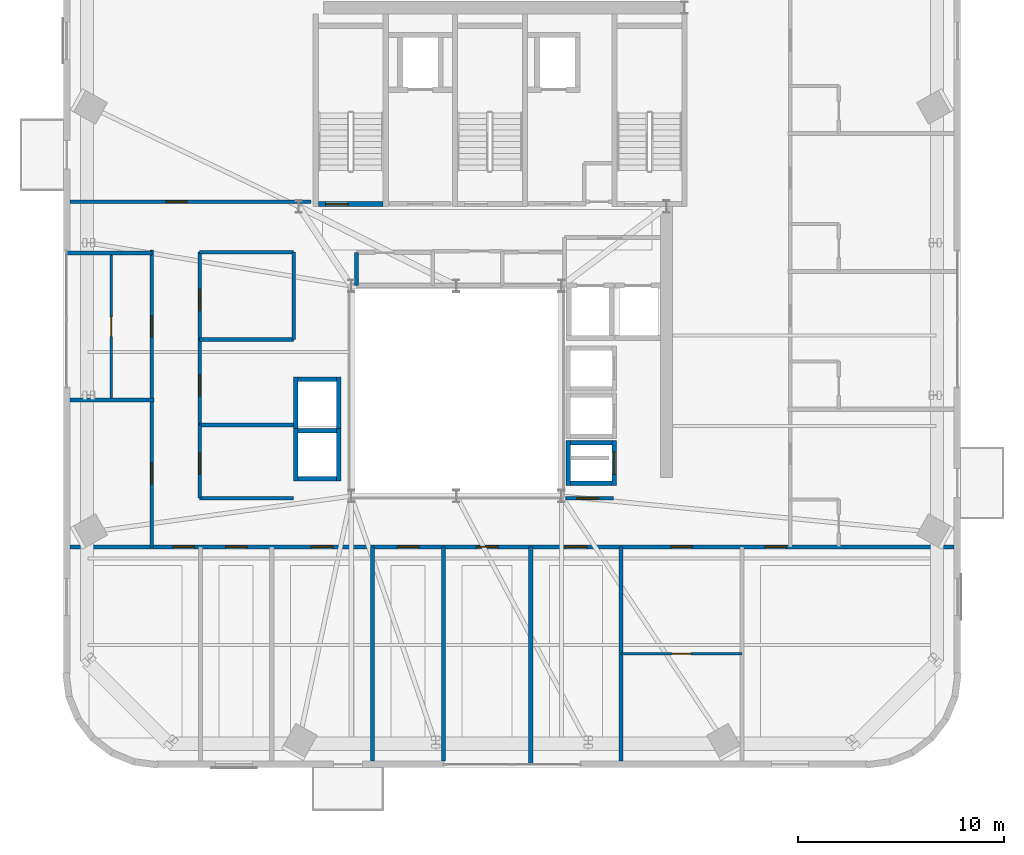
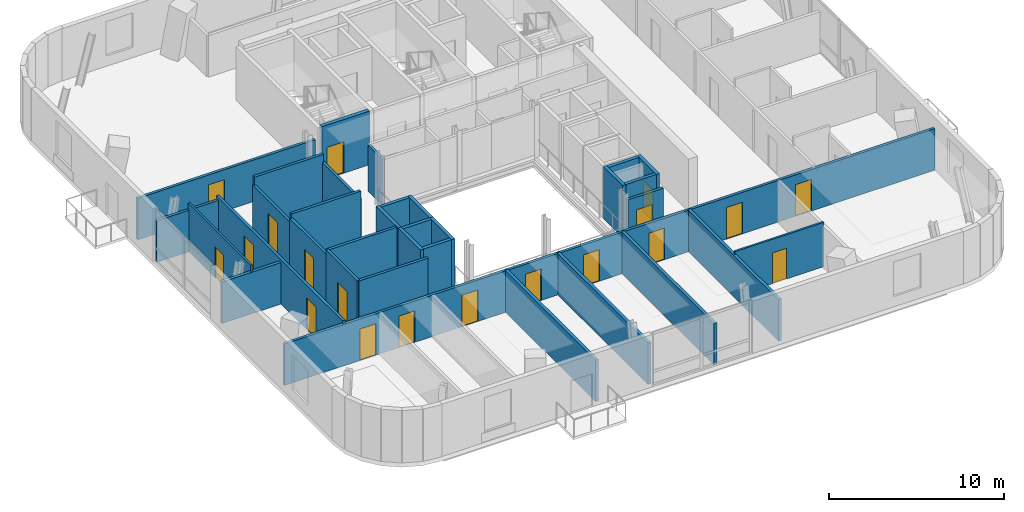
# One storey, part 7 of 14: 33 walls, 19 doors, 19 openings.
"""IFC4 building model written with IfcOpenShell, lengths in metres."""

from ifc_helpers import new_model, si_unit, direction, frame, frame_2d, origin, place, context, subcontext, project, spatial, rectangle, extrude, source, transform, mapped, material, layer, layer_set, type_object, element, fill, save


model = new_model("IFC4")

# Units and contexts
model_context = context("Model", 3, precision=1e-05, world=origin(), true_north=direction((0.0, 1.0)))
body_context = subcontext(model_context, "Body", "Model", "MODEL_VIEW")
ifc_project = project(units=[si_unit("LENGTHUNIT", "METRE"), si_unit("AREAUNIT", "SQUARE_METRE"), si_unit("VOLUMEUNIT", "CUBIC_METRE"), si_unit("PLANEANGLEUNIT", "RADIAN"), si_unit("MASSUNIT", "GRAM", prefix="KILO")], contexts=[model_context])

# Site, building, storey
site_placement = place(None, origin())
site = spatial("IfcSite", under=ifc_project, at=site_placement, CompositionType="ELEMENT")
building_placement = place(site_placement, origin())
building = spatial("IfcBuilding", under=site, at=building_placement, Name="Vardaveli Station Tower", CompositionType="ELEMENT")
storey_placement = place(building_placement, frame((0.0, 0.0, 266.39990234375)))
storey = spatial("IfcBuildingStorey", under=building, at=storey_placement, Name="L68", CompositionType="ELEMENT", Elevation=266.39990234375)

# Wall, opening, door
ifc_material_1 = material(Name="Concrete C40/50", Category="concrete")
ifc_layer_1 = layer(ifc_material_1, 0.25, Name="Concrete C40/50")
ifc_layer_set_1 = layer_set([ifc_layer_1], Name="Concrete C40/50")
wall_type_1 = type_object("IfcWallType", Name="WAL-SHAFT-250", PredefinedType="SOLIDWALL", material=ifc_layer_set_1)
shared_shape_1 = source(origin(), body_context, "Body", "SweptSolid", [
    extrude(rectangle(XDim=3.14990234375, YDim=0.25, at=frame_2d((1.574951171875, 0.0))), origin(), (0.0, 0.0, 1.0), 3.75),
])
wall_1_placement = place(storey_placement, frame((29.60009765625, 30.77490234375, 0.0), z_axis=(0.0, 0.0, 1.0), x_axis=(1.0, 0.0, 0.0)))
wall_1 = element("IfcWall", 1, at=wall_1_placement, inside=storey, type_object=wall_type_1, Name="W-L68-ST-1S", PredefinedType="SOLIDWALL", context=body_context, shape_type="MappedRepresentation", body=[
    mapped(shared_shape_1, transform((0.0, 0.0, 0.0), scale=1.0)),
])
shared_shape_2 = source(origin(), body_context, "Body", "SweptSolid", [
    extrude(rectangle(XDim=1.10009765625, YDim=2.199951171875, at=frame_2d((0.550048828125, 1.10009765625))), frame((0.0, 0.135009765625, 0.0), z_axis=(0.0, -1.0, 0.0), x_axis=(1.0, 0.0, 0.0)), (0.0, 0.0, 1.0), 0.27001953125),
])
opening_1_placement = place(wall_1_placement, frame((0.35009765625, 0.0, 0.0)))
opening_1 = element("IfcOpeningElement", 2, at=opening_1_placement, cuts=wall_1, Name="Opening D-04", PredefinedType="OPENING", context=body_context, shape_type="MappedRepresentation", body=[
    mapped(shared_shape_2, transform((0.0, 0.0, 0.0), scale=1.0)),
])
ifc_material_2 = material(Name="Steel smokeproof fire doorset", Category="steel")
door_type_1 = type_object("IfcDoorType", Name="DR-ST-1100x2200", OperationType="NOTDEFINED", PredefinedType="DOOR", material=ifc_material_2)
shared_shape_3 = source(origin(), body_context, "Body", "SweptSolid", [
    extrude(rectangle(XDim=1.10009765625, YDim=2.199951171875, at=frame_2d((0.550048828125, 1.10009765625))), frame((0.0, 0.02490234375, 0.0), z_axis=(0.0, -1.0, 0.0), x_axis=(1.0, 0.0, 0.0)), (0.0, 0.0, 1.0), 0.050048828125),
])
door_1_placement = place(opening_1_placement, origin())
door_1 = element("IfcDoor", 3, at=door_1_placement, inside=storey, type_object=door_type_1, Name="DST-1-L68", OperationType="SINGLE_SWING_LEFT", OverallHeight=2.199951171875, OverallWidth=1.10009765625, PredefinedType="DOOR", context=body_context, shape_type="MappedRepresentation", body=[
    mapped(shared_shape_3, transform((0.0, 0.0, 0.0), scale=1.0)),
])
fill(opening_1, door_1)

# Walls
ifc_layer_2 = layer(ifc_material_1, 0.219970703125, Name="Concrete C40/50")
ifc_layer_set_2 = layer_set([ifc_layer_2], Name="Concrete C40/50")
wall_type_2 = type_object("IfcWallType", Name="WAL-FFLOBBY-220", PredefinedType="SOLIDWALL", material=ifc_layer_set_2)
shared_shape_4 = source(origin(), body_context, "Body", "SweptSolid", [
    extrude(rectangle(XDim=2.0, YDim=0.219970703125, at=frame_2d((1.0, 0.0))), origin(), (0.0, 0.0, 1.0), 3.650146484375),
])
for number, where, z_axis, x_axis, name in (
    (4, (41.85009765625, 17.215087890625, 0.0), (0.0, 0.0, 1.0), (1.0, 0.0, 0.0), "SHW-HL3-03-L68-S"),
    (5, (41.85009765625, 19.18505859375, 0.0), (0.0, 0.0, 1.0), (1.0, 0.0, 0.0), "SHW-HL3-03-L68-N"),
):
    element("IfcWall", number, at=place(storey_placement, frame(where, z_axis=z_axis, x_axis=x_axis)), inside=storey, type_object=wall_type_2, Name=name, PredefinedType="SOLIDWALL", context=body_context, shape_type="MappedRepresentation", body=[
        mapped(shared_shape_4, transform((0.0, 0.0, 0.0), scale=1.0)),
    ])
shared_shape_5 = source(origin(), body_context, "Body", "SweptSolid", [
    extrude(rectangle(XDim=2.18994140625, YDim=0.219970703125, at=frame_2d((1.094970703125, 0.0))), origin(), (0.0, 0.0, 1.0), 3.650146484375),
])
wall_2_placement = place(storey_placement, frame((41.739990234375, 17.10498046875, 0.0), z_axis=(0.0, 0.0, 1.0), x_axis=(0.0, 1.0, 0.0)))
element("IfcWall", 6, at=wall_2_placement, inside=storey, type_object=wall_type_2, Name="SHW-HL3-03-L68-W", PredefinedType="SOLIDWALL", context=body_context, shape_type="MappedRepresentation", body=[
    mapped(shared_shape_5, transform((0.0, 0.0, 0.0), scale=1.0)),
])

# Wall, opening, door
wall_3_placement = place(storey_placement, frame((43.9599609375, 17.10498046875, 0.0), z_axis=(0.0, 0.0, 1.0), x_axis=(0.0, 1.0, 0.0)))
wall_3 = element("IfcWall", 7, at=wall_3_placement, inside=storey, type_object=wall_type_2, Name="SHW-HL3-03-L68-E", PredefinedType="SOLIDWALL", context=body_context, shape_type="MappedRepresentation", body=[
    mapped(shared_shape_5, transform((0.0, 0.0, 0.0), scale=1.0)),
])
shared_shape_6 = source(origin(), body_context, "Body", "SweptSolid", [
    extrude(rectangle(XDim=1.10009765625, YDim=2.199951171875, at=frame_2d((0.550048828125, 1.10009765625))), frame((0.0, 0.1201171875, 0.0), z_axis=(0.0, -1.0, 0.0), x_axis=(1.0, 0.0, 0.0)), (0.0, 0.0, 1.0), 0.239990234375),
])
opening_2_placement = place(wall_3_placement, frame((0.544921875, 0.0, 0.0)))
opening_2 = element("IfcOpeningElement", 8, at=opening_2_placement, cuts=wall_3, Name="Opening LD-01", PredefinedType="OPENING", context=body_context, shape_type="MappedRepresentation", body=[
    mapped(shared_shape_6, transform((0.0, 0.0, 0.0), scale=1.0)),
])
ifc_material_3 = material(Name="Brushed stainless steel", Category="steel")
door_type_2 = type_object("IfcDoorType", Name="DR-LD-1100x2200", OperationType="DOUBLE_DOOR_SLIDING", PredefinedType="DOOR", material=ifc_material_3)
door_2_placement = place(opening_2_placement, origin())
door_2 = element("IfcDoor", 9, at=door_2_placement, inside=storey, type_object=door_type_2, Name="LD-HL3-03-L68", OperationType="DOUBLE_DOOR_SLIDING", OverallHeight=2.199951171875, OverallWidth=1.10009765625, PredefinedType="DOOR", context=body_context, shape_type="MappedRepresentation", body=[
    mapped(shared_shape_3, transform((0.0, 0.0, 0.0), scale=1.0)),
])
fill(opening_2, door_2)

# Walls
shared_shape_7 = source(origin(), body_context, "Body", "SweptSolid", [
    extrude(rectangle(XDim=1.85009765625, YDim=0.219970703125, at=frame_2d((0.925048828125, 0.0))), origin(), (0.0, 0.0, 1.0), 3.650146484375),
])
for number, where, z_axis, x_axis, name in (
    (10, (28.625, 17.43994140625, 0.0), (0.0, 0.0, 1.0), (1.0, 0.0, 0.0), "SHW-OBS-01-L68-S"),
    (11, (28.625, 19.760009765625, 0.0), (0.0, 0.0, 1.0), (1.0, 0.0, 0.0), "SHW-OBS-01-L68-N"),
    (12, (28.625, 22.260009765625, 0.0), (0.0, 0.0, 1.0), (1.0, 0.0, 0.0), "SHW-OBS-02-L68-N"),
):
    element("IfcWall", number, at=place(storey_placement, frame(where, z_axis=z_axis, x_axis=x_axis)), inside=storey, type_object=wall_type_2, Name=name, PredefinedType="SOLIDWALL", context=body_context, shape_type="MappedRepresentation", body=[
        mapped(shared_shape_7, transform((0.0, 0.0, 0.0), scale=1.0)),
    ])
shared_shape_8 = source(origin(), body_context, "Body", "SweptSolid", [
    extrude(rectangle(XDim=2.5400390625, YDim=0.219970703125, at=frame_2d((1.27001953125, 0.0))), origin(), (0.0, 0.0, 1.0), 3.650146484375),
])
for number, where, z_axis, x_axis, name in (
    (13, (28.514892578125, 17.330078125, 0.0), (0.0, 0.0, 1.0), (0.0, 1.0, 0.0), "SHW-OBS-01-L68-W"),
    (14, (30.5849609375, 17.330078125, 0.0), (0.0, 0.0, 1.0), (0.0, 1.0, 0.0), "SHW-OBS-01-L68-E"),
    (15, (28.514892578125, 19.830078125, 0.0), (0.0, 0.0, 1.0), (0.0, 1.0, 0.0), "SHW-OBS-02-L68-W"),
    (16, (30.5849609375, 19.830078125, 0.0), (0.0, 0.0, 1.0), (0.0, 1.0, 0.0), "SHW-OBS-02-L68-E"),
):
    element("IfcWall", number, at=place(storey_placement, frame(where, z_axis=z_axis, x_axis=x_axis)), inside=storey, type_object=wall_type_2, Name=name, PredefinedType="SOLIDWALL", context=body_context, shape_type="MappedRepresentation", body=[
        mapped(shared_shape_8, transform((0.0, 0.0, 0.0), scale=1.0)),
    ])

# Wall, opening, door
ifc_material_4 = material(Name="Fire-rated gypsum stud partition")
ifc_layer_3 = layer(ifc_material_4, 0.179931640625, Name="Fire-rated gypsum stud partition")
ifc_layer_set_3 = layer_set([ifc_layer_3], Name="Fire-rated gypsum stud partition")
wall_type_3 = type_object("IfcWallType", Name="WAL-CORR-180", PredefinedType="PARTITIONING", material=ifc_layer_set_3)
shared_shape_9 = source(origin(), body_context, "Body", "SweptSolid", [
    extrude(rectangle(XDim=4.239990234375, YDim=0.179931640625, at=frame_2d((2.1201171875, 0.0))), origin(), (0.0, 0.0, 1.0), 3.092041015625),
])
wall_4_placement = place(storey_placement, frame((23.840087890625, 24.199951171875, 0.0), z_axis=(0.0, 0.0, 1.0), x_axis=(0.0, 1.0, 0.0)))
wall_4 = element("IfcWall", 17, at=wall_4_placement, inside=storey, type_object=wall_type_3, Name="W-L68-ATWC-W", PredefinedType="PARTITIONING", context=body_context, shape_type="MappedRepresentation", body=[
    mapped(shared_shape_9, transform((0.0, 0.0, 0.0), scale=1.0)),
])
shared_shape_10 = source(origin(), body_context, "Body", "SweptSolid", [
    extrude(rectangle(XDim=1.050048828125, YDim=2.199951171875, at=frame_2d((0.52490234375, 1.10009765625))), frame((0.0, 0.10009765625, 0.0), z_axis=(0.0, -1.0, 0.0), x_axis=(1.0, 0.0, 0.0)), (0.0, 0.0, 1.0), 0.199951171875),
])
opening_3_placement = place(wall_4_placement, frame((1.39990234375, 0.0, 0.0)))
opening_3 = element("IfcOpeningElement", 18, at=opening_3_placement, cuts=wall_4, Name="Opening D-05", PredefinedType="OPENING", context=body_context, shape_type="MappedRepresentation", body=[
    mapped(shared_shape_10, transform((0.0, 0.0, 0.0), scale=1.0)),
])
ifc_material_5 = material(Name="Walnut veneer acoustic fire door")
door_type_3 = type_object("IfcDoorType", Name="DR-SUITE-1050x2200", OperationType="NOTDEFINED", PredefinedType="DOOR", material=ifc_material_5)
shared_shape_11 = source(origin(), body_context, "Body", "SweptSolid", [
    extrude(rectangle(XDim=1.050048828125, YDim=2.199951171875, at=frame_2d((0.52490234375, 1.10009765625))), frame((0.0, 0.02490234375, 0.0), z_axis=(0.0, -1.0, 0.0), x_axis=(1.0, 0.0, 0.0)), (0.0, 0.0, 1.0), 0.050048828125),
])
door_3_placement = place(opening_3_placement, origin())
door_3 = element("IfcDoor", 19, at=door_3_placement, inside=storey, type_object=door_type_3, Name="D-L68-ATW3", OperationType="SINGLE_SWING_RIGHT", OverallHeight=2.199951171875, OverallWidth=1.050048828125, PredefinedType="DOOR", context=body_context, shape_type="MappedRepresentation", body=[
    mapped(shared_shape_11, transform((0.0, 0.0, 0.0), scale=1.0)),
])
fill(opening_3, door_3)

# Wall
wall_5_placement = place(storey_placement, frame((28.39990234375, 24.199951171875, 0.0), z_axis=(0.0, 0.0, 1.0), x_axis=(0.0, 1.0, 0.0)))
element("IfcWall", 20, at=wall_5_placement, inside=storey, type_object=wall_type_3, Name="W-L68-ATWC-E", PredefinedType="PARTITIONING", context=body_context, shape_type="MappedRepresentation", body=[
    mapped(shared_shape_9, transform((0.0, 0.0, 0.0), scale=1.0)),
])

# Wall, opening, door
shared_shape_12 = source(origin(), body_context, "Body", "SweptSolid", [
    extrude(rectangle(XDim=4.14990234375, YDim=0.179931640625, at=frame_2d((2.074951171875, 0.0))), origin(), (0.0, 0.0, 1.0), 3.342041015625),
])
wall_6_placement = place(storey_placement, frame((23.840087890625, 20.050048828125, 0.0), z_axis=(0.0, 0.0, 1.0), x_axis=(0.0, 1.0, 0.0)))
wall_6 = element("IfcWall", 21, at=wall_6_placement, inside=storey, type_object=wall_type_3, Name="W-L68-ATWB-W", PredefinedType="PARTITIONING", context=body_context, shape_type="MappedRepresentation", body=[
    mapped(shared_shape_12, transform((0.0, 0.0, 0.0), scale=1.0)),
])
opening_4_placement = place(wall_6_placement, frame((1.39990234375, 0.0, 0.0)))
opening_4 = element("IfcOpeningElement", 22, at=opening_4_placement, cuts=wall_6, Name="Opening D-05", PredefinedType="OPENING", context=body_context, shape_type="MappedRepresentation", body=[
    mapped(shared_shape_10, transform((0.0, 0.0, 0.0), scale=1.0)),
])
door_4_placement = place(opening_4_placement, origin())
door_4 = element("IfcDoor", 23, at=door_4_placement, inside=storey, type_object=door_type_3, Name="D-L68-ATW2", OperationType="SINGLE_SWING_LEFT", OverallHeight=2.199951171875, OverallWidth=1.050048828125, PredefinedType="DOOR", context=body_context, shape_type="MappedRepresentation", body=[
    mapped(shared_shape_11, transform((0.0, 0.0, 0.0), scale=1.0)),
])
fill(opening_4, door_4)

shared_shape_13 = source(origin(), body_context, "Body", "SweptSolid", [
    extrude(rectangle(XDim=2.329833984375, YDim=0.179931640625, at=frame_2d((1.1650390625, 0.0))), origin(), (0.0, 0.0, 1.0), 3.092041015625),
])
wall_7_placement = place(storey_placement, frame((41.60009765625, 16.5, 0.0), z_axis=(0.0, 0.0, 1.0), x_axis=(1.0, 0.0, 0.0)))
wall_7 = element("IfcWall", 24, at=wall_7_placement, inside=storey, type_object=wall_type_3, Name="W-L68-ATE-S", PredefinedType="PARTITIONING", context=body_context, shape_type="MappedRepresentation", body=[
    mapped(shared_shape_13, transform((0.0, 0.0, 0.0), scale=1.0)),
])
opening_5_placement = place(wall_7_placement, frame((0.550048828125, 0.0, 0.0)))
opening_5 = element("IfcOpeningElement", 25, at=opening_5_placement, cuts=wall_7, Name="Opening D-05", PredefinedType="OPENING", context=body_context, shape_type="MappedRepresentation", body=[
    mapped(shared_shape_10, transform((0.0, 0.0, 0.0), scale=1.0)),
])
door_5_placement = place(opening_5_placement, origin())
door_5 = element("IfcDoor", 26, at=door_5_placement, inside=storey, type_object=door_type_3, Name="D-L68-ATE1", OperationType="SINGLE_SWING_RIGHT", OverallHeight=2.199951171875, OverallWidth=1.050048828125, PredefinedType="DOOR", context=body_context, shape_type="MappedRepresentation", body=[
    mapped(shared_shape_11, transform((0.0, 0.0, 0.0), scale=1.0)),
])
fill(opening_5, door_5)

# Wall, openings, doors
shared_shape_14 = source(origin(), body_context, "Body", "SweptSolid", [
    extrude(rectangle(XDim=42.916015625, YDim=0.179931640625, at=frame_2d((21.4580078125, 0.0))), origin(), (0.0, 0.0, 1.0), 2.89208984375),
])
wall_8_placement = place(storey_placement, frame((17.5419921875, 14.1298828125, 0.0), z_axis=(0.0, 0.0, 1.0), x_axis=(1.0, 0.0, 0.0)))
wall_8 = element("IfcWall", 27, at=wall_8_placement, inside=storey, type_object=wall_type_3, Name="W-L68-CS", PredefinedType="PARTITIONING", context=body_context, shape_type="MappedRepresentation", body=[
    mapped(shared_shape_14, transform((0.0, 0.0, 0.0), scale=1.0)),
])
opening_6_placement = place(wall_8_placement, frame((4.998046875, 0.0, 0.0)))
opening_6 = element("IfcOpeningElement", 28, at=opening_6_placement, cuts=wall_8, Name="Opening D-05", PredefinedType="OPENING", context=body_context, shape_type="MappedRepresentation", body=[
    mapped(shared_shape_10, transform((0.0, 0.0, 0.0), scale=1.0)),
])
opening_7_placement = place(wall_8_placement, frame((7.552978515625, 0.0, 0.0)))
opening_7 = element("IfcOpeningElement", 29, at=opening_7_placement, cuts=wall_8, Name="Opening D-05", PredefinedType="OPENING", context=body_context, shape_type="MappedRepresentation", body=[
    mapped(shared_shape_10, transform((0.0, 0.0, 0.0), scale=1.0)),
])
opening_8_placement = place(wall_8_placement, frame((11.724365234375, 0.0, 0.0)))
opening_8 = element("IfcOpeningElement", 30, at=opening_8_placement, cuts=wall_8, Name="Opening D-05", PredefinedType="OPENING", context=body_context, shape_type="MappedRepresentation", body=[
    mapped(shared_shape_10, transform((0.0, 0.0, 0.0), scale=1.0)),
])
opening_9_placement = place(wall_8_placement, frame((15.8955078125, 0.0, 0.0)))
opening_9 = element("IfcOpeningElement", 31, at=opening_9_placement, cuts=wall_8, Name="Opening D-05", PredefinedType="OPENING", context=body_context, shape_type="MappedRepresentation", body=[
    mapped(shared_shape_10, transform((0.0, 0.0, 0.0), scale=1.0)),
])
opening_10_placement = place(wall_8_placement, frame((19.734130859375, 0.0, 0.0)))
opening_10 = element("IfcOpeningElement", 32, at=opening_10_placement, cuts=wall_8, Name="Opening D-05", PredefinedType="OPENING", context=body_context, shape_type="MappedRepresentation", body=[
    mapped(shared_shape_10, transform((0.0, 0.0, 0.0), scale=1.0)),
])
opening_11_placement = place(wall_8_placement, frame((24.0380859375, 0.0, 0.0)))
opening_11 = element("IfcOpeningElement", 33, at=opening_11_placement, cuts=wall_8, Name="Opening D-05", PredefinedType="OPENING", context=body_context, shape_type="MappedRepresentation", body=[
    mapped(shared_shape_10, transform((0.0, 0.0, 0.0), scale=1.0)),
])
opening_12_placement = place(wall_8_placement, frame((29.16796875, 0.0, 0.0)))
opening_12 = element("IfcOpeningElement", 34, at=opening_12_placement, cuts=wall_8, Name="Opening D-05", PredefinedType="OPENING", context=body_context, shape_type="MappedRepresentation", body=[
    mapped(shared_shape_10, transform((0.0, 0.0, 0.0), scale=1.0)),
])
opening_13_placement = place(wall_8_placement, frame((33.72802734375, 0.0, 0.0)))
opening_13 = element("IfcOpeningElement", 35, at=opening_13_placement, cuts=wall_8, Name="Opening D-05", PredefinedType="OPENING", context=body_context, shape_type="MappedRepresentation", body=[
    mapped(shared_shape_10, transform((0.0, 0.0, 0.0), scale=1.0)),
])
door_6_placement = place(opening_6_placement, origin())
door_6 = element("IfcDoor", 36, at=door_6_placement, inside=storey, type_object=door_type_3, Name="D-L68-SA1", OperationType="SINGLE_SWING_LEFT", OverallHeight=2.199951171875, OverallWidth=1.050048828125, PredefinedType="DOOR", context=body_context, shape_type="MappedRepresentation", body=[
    mapped(shared_shape_11, transform((0.0, 0.0, 0.0), scale=1.0)),
])
fill(opening_6, door_6)
door_7_placement = place(opening_7_placement, origin())
door_7 = element("IfcDoor", 37, at=door_7_placement, inside=storey, type_object=door_type_3, Name="D-L68-SA2", OperationType="SINGLE_SWING_RIGHT", OverallHeight=2.199951171875, OverallWidth=1.050048828125, PredefinedType="DOOR", context=body_context, shape_type="MappedRepresentation", body=[
    mapped(shared_shape_11, transform((0.0, 0.0, 0.0), scale=1.0)),
])
fill(opening_7, door_7)
door_8_placement = place(opening_8_placement, origin())
door_8 = element("IfcDoor", 38, at=door_8_placement, inside=storey, type_object=door_type_3, Name="D-L68-SA3", OperationType="SINGLE_SWING_LEFT", OverallHeight=2.199951171875, OverallWidth=1.050048828125, PredefinedType="DOOR", context=body_context, shape_type="MappedRepresentation", body=[
    mapped(shared_shape_11, transform((0.0, 0.0, 0.0), scale=1.0)),
])
fill(opening_8, door_8)
door_9_placement = place(opening_9_placement, origin())
door_9 = element("IfcDoor", 39, at=door_9_placement, inside=storey, type_object=door_type_3, Name="D-L68-SA4", OperationType="SINGLE_SWING_RIGHT", OverallHeight=2.199951171875, OverallWidth=1.050048828125, PredefinedType="DOOR", context=body_context, shape_type="MappedRepresentation", body=[
    mapped(shared_shape_11, transform((0.0, 0.0, 0.0), scale=1.0)),
])
fill(opening_9, door_9)
door_10_placement = place(opening_10_placement, origin())
door_10 = element("IfcDoor", 40, at=door_10_placement, inside=storey, type_object=door_type_3, Name="D-L68-SA5", OperationType="SINGLE_SWING_LEFT", OverallHeight=2.199951171875, OverallWidth=1.050048828125, PredefinedType="DOOR", context=body_context, shape_type="MappedRepresentation", body=[
    mapped(shared_shape_11, transform((0.0, 0.0, 0.0), scale=1.0)),
])
fill(opening_10, door_10)
door_11_placement = place(opening_11_placement, origin())
door_11 = element("IfcDoor", 41, at=door_11_placement, inside=storey, type_object=door_type_3, Name="D-L68-SA6", OperationType="SINGLE_SWING_RIGHT", OverallHeight=2.199951171875, OverallWidth=1.050048828125, PredefinedType="DOOR", context=body_context, shape_type="MappedRepresentation", body=[
    mapped(shared_shape_11, transform((0.0, 0.0, 0.0), scale=1.0)),
])
fill(opening_11, door_11)
door_12_placement = place(opening_12_placement, origin())
door_12 = element("IfcDoor", 42, at=door_12_placement, inside=storey, type_object=door_type_3, Name="D-L68-SCB7", OperationType="SINGLE_SWING_LEFT", OverallHeight=2.199951171875, OverallWidth=1.050048828125, PredefinedType="DOOR", context=body_context, shape_type="MappedRepresentation", body=[
    mapped(shared_shape_11, transform((0.0, 0.0, 0.0), scale=1.0)),
])
fill(opening_12, door_12)
door_13_placement = place(opening_13_placement, origin())
door_13 = element("IfcDoor", 43, at=door_13_placement, inside=storey, type_object=door_type_3, Name="D-L68-SA8", OperationType="SINGLE_SWING_RIGHT", OverallHeight=2.199951171875, OverallWidth=1.050048828125, PredefinedType="DOOR", context=body_context, shape_type="MappedRepresentation", body=[
    mapped(shared_shape_11, transform((0.0, 0.0, 0.0), scale=1.0)),
])
fill(opening_13, door_13)

shared_shape_15 = source(origin(), body_context, "Body", "SweptSolid", [
    extrude(rectangle(XDim=14.420166015625, YDim=0.179931640625, at=frame_2d((7.2099609375, 0.0))), origin(), (0.0, 0.0, 1.0), 3.092041015625),
])
wall_9_placement = place(storey_placement, frame((21.52001953125, 14.1298828125, 0.0), z_axis=(0.0, 0.0, 1.0), x_axis=(0.0, 1.0, 0.0)))
wall_9 = element("IfcWall", 44, at=wall_9_placement, inside=storey, type_object=wall_type_3, Name="W-L68-CW", PredefinedType="PARTITIONING", context=body_context, shape_type="MappedRepresentation", body=[
    mapped(shared_shape_15, transform((0.0, 0.0, 0.0), scale=1.0)),
])
opening_14_placement = place(wall_9_placement, frame((3.047607421875, 0.0, 0.0)))
opening_14 = element("IfcOpeningElement", 45, at=opening_14_placement, cuts=wall_9, Name="Opening D-05", PredefinedType="OPENING", context=body_context, shape_type="MappedRepresentation", body=[
    mapped(shared_shape_10, transform((0.0, 0.0, 0.0), scale=1.0)),
])
opening_15_placement = place(wall_9_placement, frame((10.1826171875, 0.0, 0.0)))
opening_15 = element("IfcOpeningElement", 46, at=opening_15_placement, cuts=wall_9, Name="Opening D-05", PredefinedType="OPENING", context=body_context, shape_type="MappedRepresentation", body=[
    mapped(shared_shape_10, transform((0.0, 0.0, 0.0), scale=1.0)),
])
door_14_placement = place(opening_14_placement, origin())
door_14 = element("IfcDoor", 47, at=door_14_placement, inside=storey, type_object=door_type_3, Name="D-L68-GW1", OperationType="SINGLE_SWING_RIGHT", OverallHeight=2.199951171875, OverallWidth=1.050048828125, PredefinedType="DOOR", context=body_context, shape_type="MappedRepresentation", body=[
    mapped(shared_shape_11, transform((0.0, 0.0, 0.0), scale=1.0)),
])
fill(opening_14, door_14)
door_15_placement = place(opening_15_placement, origin())
door_15 = element("IfcDoor", 48, at=door_15_placement, inside=storey, type_object=door_type_3, Name="D-L68-GW2", OperationType="SINGLE_SWING_LEFT", OverallHeight=2.199951171875, OverallWidth=1.050048828125, PredefinedType="DOOR", context=body_context, shape_type="MappedRepresentation", body=[
    mapped(shared_shape_11, transform((0.0, 0.0, 0.0), scale=1.0)),
])
fill(opening_15, door_15)

# Wall, opening, door
shared_shape_16 = source(origin(), body_context, "Body", "SweptSolid", [
    extrude(rectangle(XDim=11.7080078125, YDim=0.179931640625, at=frame_2d((5.85400390625, 0.0))), origin(), (0.0, 0.0, 1.0), 2.89208984375),
])
wall_10_placement = place(storey_placement, frame((17.5419921875, 30.8798828125, 0.0), z_axis=(0.0, 0.0, 1.0), x_axis=(1.0, 0.0, 0.0)))
wall_10 = element("IfcWall", 49, at=wall_10_placement, inside=storey, type_object=wall_type_3, Name="W-L68-CNWS", PredefinedType="PARTITIONING", context=body_context, shape_type="MappedRepresentation", body=[
    mapped(shared_shape_16, transform((0.0, 0.0, 0.0), scale=1.0)),
])
opening_16_placement = place(wall_10_placement, frame((4.657958984375, 0.0, 0.0)))
opening_16 = element("IfcOpeningElement", 50, at=opening_16_placement, cuts=wall_10, Name="Opening D-05", PredefinedType="OPENING", context=body_context, shape_type="MappedRepresentation", body=[
    mapped(shared_shape_10, transform((0.0, 0.0, 0.0), scale=1.0)),
])
door_16_placement = place(opening_16_placement, origin())
door_16 = element("IfcDoor", 51, at=door_16_placement, inside=storey, type_object=door_type_3, Name="D-L68-GNW1", OperationType="SINGLE_SWING_RIGHT", OverallHeight=2.199951171875, OverallWidth=1.050048828125, PredefinedType="DOOR", context=body_context, shape_type="MappedRepresentation", body=[
    mapped(shared_shape_11, transform((0.0, 0.0, 0.0), scale=1.0)),
])
fill(opening_16, door_16)

ifc_material_6 = material(Name="Gypsum board stud partition")
ifc_layer_4 = layer(ifc_material_6, 0.125, Name="Gypsum board stud partition")
ifc_layer_set_4 = layer_set([ifc_layer_4], Name="Gypsum board stud partition")
wall_type_4 = type_object("IfcWallType", Name="WAL-INT-125", PredefinedType="PARTITIONING", material=ifc_layer_set_4)
shared_shape_17 = source(origin(), body_context, "Body", "SweptSolid", [
    extrude(rectangle(XDim=7.135009765625, YDim=0.125, at=frame_2d((3.5673828125, 0.0))), origin(), (0.0, 0.0, 1.0), 3.342041015625),
])
wall_11_placement = place(storey_placement, frame((19.544921875, 21.264892578125, 0.0), z_axis=(0.0, 0.0, 1.0), x_axis=(0.0, 1.0, 0.0)))
wall_11 = element("IfcWall", 52, at=wall_11_placement, inside=storey, type_object=wall_type_4, Name="W-L68-WCM2", PredefinedType="PARTITIONING", context=body_context, shape_type="MappedRepresentation", body=[
    mapped(shared_shape_17, transform((0.0, 0.0, 0.0), scale=1.0)),
])
shared_shape_18 = source(origin(), body_context, "Body", "SweptSolid", [
    extrude(rectangle(XDim=0.949951171875, YDim=2.14990234375, at=frame_2d((0.47509765625, 1.074951171875))), frame((0.0, 0.072509765625, 0.0), z_axis=(0.0, -1.0, 0.0), x_axis=(1.0, 0.0, 0.0)), (0.0, 0.0, 1.0), 0.14501953125),
])
opening_17_placement = place(wall_11_placement, frame((3.08740234375, 0.0, 0.0)))
opening_17 = element("IfcOpeningElement", 53, at=opening_17_placement, cuts=wall_11, Name="Opening D-11", PredefinedType="OPENING", context=body_context, shape_type="MappedRepresentation", body=[
    mapped(shared_shape_18, transform((0.0, 0.0, 0.0), scale=1.0)),
])
ifc_material_7 = material(Name="Oak veneer internal suite door")
door_type_4 = type_object("IfcDoorType", Name="DR-INT-950x2150", OperationType="NOTDEFINED", PredefinedType="DOOR", material=ifc_material_7)
shared_shape_19 = source(origin(), body_context, "Body", "SweptSolid", [
    extrude(rectangle(XDim=0.949951171875, YDim=2.14990234375, at=frame_2d((0.47509765625, 1.074951171875))), frame((0.0, 0.02490234375, 0.0), z_axis=(0.0, -1.0, 0.0), x_axis=(1.0, 0.0, 0.0)), (0.0, 0.0, 1.0), 0.050048828125),
])
door_17_placement = place(opening_17_placement, origin())
door_17 = element("IfcDoor", 54, at=door_17_placement, inside=storey, type_object=door_type_4, Name="D-L68-GWF2", OperationType="SINGLE_SWING_LEFT", OverallHeight=2.14990234375, OverallWidth=0.949951171875, PredefinedType="DOOR", context=body_context, shape_type="MappedRepresentation", body=[
    mapped(shared_shape_19, transform((0.0, 0.0, 0.0), scale=1.0)),
])
fill(opening_17, door_17)

shared_shape_20 = source(origin(), body_context, "Body", "SweptSolid", [
    extrude(rectangle(XDim=5.8798828125, YDim=0.125, at=frame_2d((2.93994140625, 0.0))), origin(), (0.0, 0.0, 1.0), 3.092041015625),
])
wall_12_placement = place(storey_placement, frame((44.2900390625, 8.949951171875, 0.0), z_axis=(0.0, 0.0, 1.0), x_axis=(1.0, 0.0, 0.0)))
wall_12 = element("IfcWall", 55, at=wall_12_placement, inside=storey, type_object=wall_type_4, Name="W-L68-SCM7", PredefinedType="PARTITIONING", context=body_context, shape_type="MappedRepresentation", body=[
    mapped(shared_shape_20, transform((0.0, 0.0, 0.0), scale=1.0)),
])
opening_18_placement = place(wall_12_placement, frame((2.4599609375, 0.0, 0.0)))
opening_18 = element("IfcOpeningElement", 56, at=opening_18_placement, cuts=wall_12, Name="Opening D-11", PredefinedType="OPENING", context=body_context, shape_type="MappedRepresentation", body=[
    mapped(shared_shape_18, transform((0.0, 0.0, 0.0), scale=1.0)),
])
door_18_placement = place(opening_18_placement, origin())
door_18 = element("IfcDoor", 57, at=door_18_placement, inside=storey, type_object=door_type_4, Name="D-L68-SCF7", OperationType="SINGLE_SWING_RIGHT", OverallHeight=2.14990234375, OverallWidth=0.949951171875, PredefinedType="DOOR", context=body_context, shape_type="MappedRepresentation", body=[
    mapped(shared_shape_19, transform((0.0, 0.0, 0.0), scale=1.0)),
])
fill(opening_18, door_18)

shared_shape_21 = source(origin(), body_context, "Body", "SweptSolid", [
    extrude(rectangle(XDim=3.550048828125, YDim=0.179931640625, at=frame_2d((1.77490234375, 0.0))), origin(), (0.0, 0.0, 1.0), 3.650146484375),
])
wall_13_placement = place(storey_placement, frame((23.840087890625, 16.5, 0.0), z_axis=(0.0, 0.0, 1.0), x_axis=(0.0, 1.0, 0.0)))
wall_13 = element("IfcWall", 58, at=wall_13_placement, inside=storey, type_object=wall_type_3, Name="W-L68-ATWA-W", PredefinedType="PARTITIONING", context=body_context, shape_type="MappedRepresentation", body=[
    mapped(shared_shape_21, transform((0.0, 0.0, 0.0), scale=1.0)),
])
opening_19_placement = place(wall_13_placement, frame((1.14990234375, 0.0, 0.0)))
opening_19 = element("IfcOpeningElement", 59, at=opening_19_placement, cuts=wall_13, Name="Opening D-05", PredefinedType="OPENING", context=body_context, shape_type="MappedRepresentation", body=[
    mapped(shared_shape_10, transform((0.0, 0.0, 0.0), scale=1.0)),
])
door_19_placement = place(opening_19_placement, origin())
door_19 = element("IfcDoor", 60, at=door_19_placement, inside=storey, type_object=door_type_3, Name="D-L68-ATW1", OperationType="SINGLE_SWING_LEFT", OverallHeight=2.199951171875, OverallWidth=1.050048828125, PredefinedType="DOOR", context=body_context, shape_type="MappedRepresentation", body=[
    mapped(shared_shape_11, transform((0.0, 0.0, 0.0), scale=1.0)),
])
fill(opening_19, door_19)

# Walls
ifc_material_8 = material(Name="Acoustic twin-stud gypsum partition")
ifc_layer_5 = layer(ifc_material_8, 0.199951171875, Name="Acoustic twin-stud gypsum partition")
ifc_layer_set_5 = layer_set([ifc_layer_5], Name="Acoustic twin-stud gypsum partition")
wall_type_5 = type_object("IfcWallType", Name="WAL-PARTY-200", PredefinedType="PARTITIONING", material=ifc_layer_set_5)
shared_shape_22 = source(origin(), body_context, "Body", "SweptSolid", [
    extrude(rectangle(XDim=10.387939453125, YDim=0.199951171875, at=frame_2d((5.19384765625, 0.0))), origin(), (0.0, 0.0, 1.0), 2.89208984375),
])
for number, where, z_axis, x_axis, name in (
    (61, (32.23291015625, 3.741943359375, 0.0), (0.0, 0.0, 1.0), (0.0, 1.0, 0.0), "W-L68-PS3"),
    (62, (35.681884765625, 3.741943359375, 0.0), (0.0, 0.0, 1.0), (0.0, 1.0, 0.0), "W-L68-PS4"),
    (63, (44.2900390625, 3.741943359375, 0.0), (0.0, 0.0, 1.0), (0.0, 1.0, 0.0), "W-L68-PS6"),
):
    element("IfcWall", number, at=place(storey_placement, frame(where, z_axis=z_axis, x_axis=x_axis)), inside=storey, type_object=wall_type_5, Name=name, PredefinedType="PARTITIONING", context=body_context, shape_type="MappedRepresentation", body=[
        mapped(shared_shape_22, transform((0.0, 0.0, 0.0), scale=1.0)),
    ])
shared_shape_23 = source(origin(), body_context, "Body", "SweptSolid", [
    extrude(rectangle(XDim=10.579833984375, YDim=0.199951171875, at=frame_2d((5.2900390625, 0.0))), origin(), (0.0, 0.0, 1.0), 2.89208984375),
])
wall_14_placement = place(storey_placement, frame((39.909912109375, 3.550048828125, 0.0), z_axis=(0.0, 0.0, 1.0), x_axis=(0.0, 1.0, 0.0)))
element("IfcWall", 64, at=wall_14_placement, inside=storey, type_object=wall_type_5, Name="W-L68-PS5", PredefinedType="PARTITIONING", context=body_context, shape_type="MappedRepresentation", body=[
    mapped(shared_shape_23, transform((0.0, 0.0, 0.0), scale=1.0)),
])
shared_shape_24 = source(origin(), body_context, "Body", "SweptSolid", [
    extrude(rectangle(XDim=4.559814453125, YDim=0.179931640625, at=frame_2d((2.27978515625, 0.0))), origin(), (0.0, 0.0, 1.0), 3.650146484375),
])
for number, where, z_axis, x_axis, name in (
    (65, (23.840087890625, 16.5, 0.0), (0.0, 0.0, 1.0), (1.0, 0.0, 0.0), "W-L68-ATWA-S"),
    (66, (23.840087890625, 20.050048828125, 0.0), (0.0, 0.0, 1.0), (1.0, 0.0, 0.0), "W-L68-ATWA-N"),
    (67, (23.840087890625, 24.199951171875, 0.0), (0.0, 0.0, 1.0), (1.0, 0.0, 0.0), "W-L68-ATWB-N"),
    (68, (23.840087890625, 28.43994140625, 0.0), (0.0, 0.0, 1.0), (1.0, 0.0, 0.0), "W-L68-ATWC-N"),
):
    element("IfcWall", number, at=place(storey_placement, frame(where, z_axis=z_axis, x_axis=x_axis)), inside=storey, type_object=wall_type_3, Name=name, PredefinedType="PARTITIONING", context=body_context, shape_type="MappedRepresentation", body=[
        mapped(shared_shape_24, transform((0.0, 0.0, 0.0), scale=1.0)),
    ])
shared_shape_25 = source(origin(), body_context, "Body", "SweptSolid", [
    extrude(rectangle(XDim=4.078125, YDim=0.199951171875, at=frame_2d((2.0390625, 0.0))), origin(), (0.0, 0.0, 1.0), 2.89208984375),
])
wall_15_placement = place(storey_placement, frame((17.5419921875, 21.264892578125, 0.0), z_axis=(0.0, 0.0, 1.0), x_axis=(1.0, 0.0, 0.0)))
element("IfcWall", 69, at=wall_15_placement, inside=storey, type_object=wall_type_5, Name="W-L68-PW1", PredefinedType="PARTITIONING", context=body_context, shape_type="MappedRepresentation", body=[
    mapped(shared_shape_25, transform((0.0, 0.0, 0.0), scale=1.0)),
])
shared_shape_26 = source(origin(), body_context, "Body", "SweptSolid", [
    extrude(rectangle(XDim=4.169921875, YDim=0.179931640625, at=frame_2d((2.0849609375, 0.0))), origin(), (0.0, 0.0, 1.0), 2.89208984375),
])
wall_16_placement = place(storey_placement, frame((17.35009765625, 28.39990234375, 0.0), z_axis=(0.0, 0.0, 1.0), x_axis=(1.0, 0.0, 0.0)))
element("IfcWall", 70, at=wall_16_placement, inside=storey, type_object=wall_type_3, Name="W-L68-CWN", PredefinedType="PARTITIONING", context=body_context, shape_type="MappedRepresentation", body=[
    mapped(shared_shape_26, transform((0.0, 0.0, 0.0), scale=1.0)),
])
shared_shape_27 = source(origin(), body_context, "Body", "SweptSolid", [
    extrude(rectangle(XDim=1.599853515625, YDim=0.179931640625, at=frame_2d((0.7998046875, 0.0))), origin(), (0.0, 0.0, 1.0), 3.192138671875),
])
wall_17_placement = place(storey_placement, frame((31.449951171875, 26.820068359375, 0.0), z_axis=(0.0, 0.0, 1.0), x_axis=(0.0, 1.0, 0.0)))
element("IfcWall", 71, at=wall_17_placement, inside=storey, type_object=wall_type_3, Name="W-L68-CS2A-W", PredefinedType="PARTITIONING", context=body_context, shape_type="MappedRepresentation", body=[
    mapped(shared_shape_27, transform((0.0, 0.0, 0.0), scale=1.0)),
])

save(model, "model.ifc")
